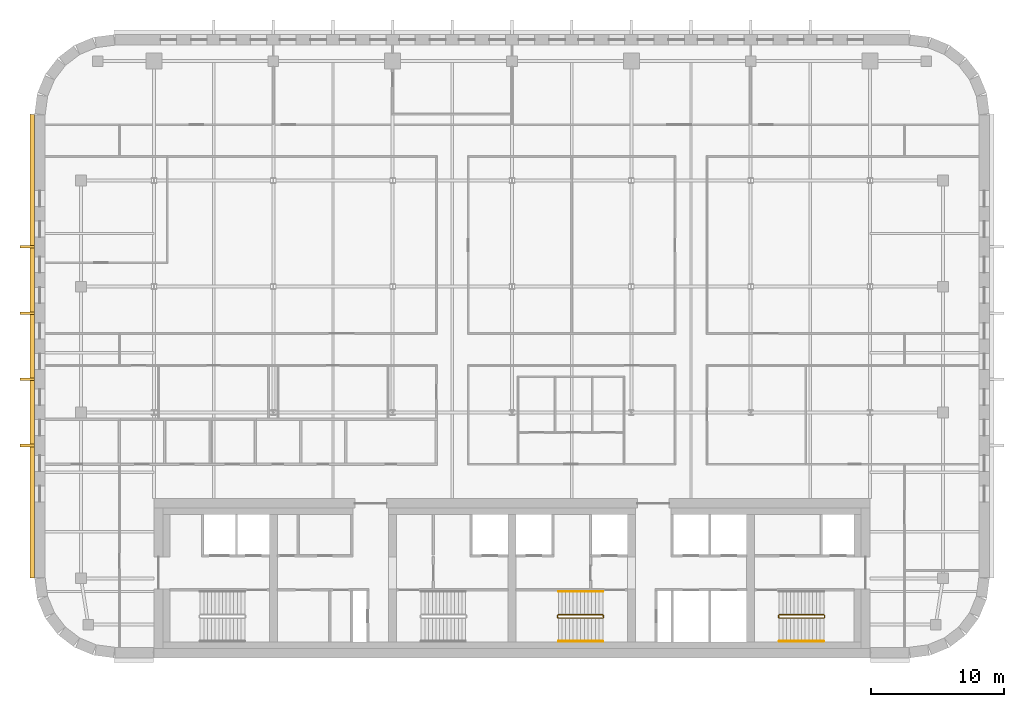
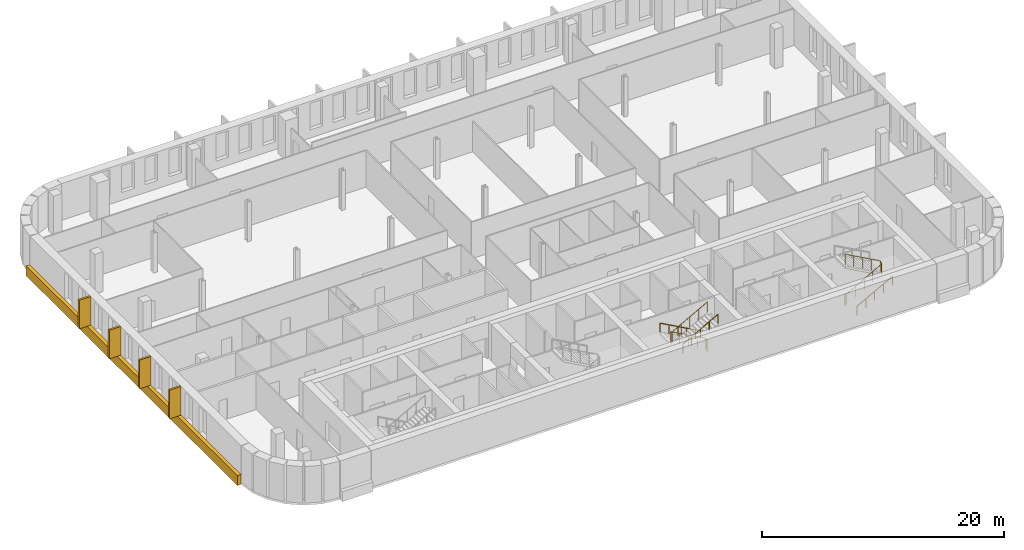
# One storey, part 13 of 15: 5 coverings, 5 railings.
"""IFC4 building model written with IfcOpenShell, lengths in metres."""

import ifcopenshell
import ifcopenshell.guid

model = None  # the IFC model being written
_history = None  # IfcOwnerHistory: only IFC2X3 demands one
_inside = {}  # id of a spatial element -> (the spatial element, [elements in it])
_under = {}  # id of a project, library or spatial element -> (it, [spatial elements below it])
_declared = {}  # id of a project -> (the project, [libraries it declares])
_typed = {}  # id of a type object -> (the type object, [elements of that type])
_made_of = {}  # id of a material, layer set ... -> (it, [elements and type objects made of it])


def new_model(schema):
    """Start an empty IFC model of exactly this schema.

    Asked for "IFC4X3", IfcOpenShell would pick the latest addendum, in which some entities
    have other attributes; the version numbers below select the first issue.
    IFC2X3 requires an IfcOwnerHistory on every rooted entity: one is made here for all.
    """
    global model, _history
    if schema == "IFC4X3":
        model = ifcopenshell.file(schema_version=(4, 3, 0, 0))
    else:
        model = ifcopenshell.file(schema=schema)
    _inside.clear()
    _under.clear()
    _declared.clear()
    _typed.clear()
    _made_of.clear()
    _history = None
    if model.schema == "IFC2X3":
        org = make("IfcOrganization", Name="unknown")
        user = make(
            "IfcPersonAndOrganization",
            ThePerson=make("IfcPerson", FamilyName="unknown"),
            TheOrganization=org,
        )
        app = make(
            "IfcApplication",
            ApplicationDeveloper=org,
            Version="unknown",
            ApplicationFullName="unknown",
            ApplicationIdentifier="unknown",
        )
        _history = make(
            "IfcOwnerHistory",
            OwningUser=user,
            OwningApplication=app,
            ChangeAction="ADDED",
            CreationDate=0,
        )
    return model


def make(cls, **values):
    """One entity of the class cls with the attributes given. An attribute that is None is left unset."""
    return model.create_entity(
        cls, **{name: value for name, value in values.items() if value is not None}
    )


def rooted(cls, **values):
    """An entity with a GlobalId (a new one), such as an element, a storey or a relation."""
    return make(cls, GlobalId=ifcopenshell.guid.new(), OwnerHistory=_history, **values)


def si_unit(unit_type, name, prefix=None):
    """IfcSIUnit, for example si_unit("LENGTHUNIT", "METRE", prefix="MILLI")."""
    return make("IfcSIUnit", UnitType=unit_type, Prefix=prefix, Name=name)


def assignment(units):
    """IfcUnitAssignment: the units of a project."""
    return None if units is None else make("IfcUnitAssignment", Units=units)


def point(xyz):
    """IfcCartesianPoint."""
    return None if xyz is None else make("IfcCartesianPoint", Coordinates=xyz)


def direction(xyz):
    """IfcDirection."""
    return None if xyz is None else make("IfcDirection", DirectionRatios=xyz)


def frame(location, z_axis=None, x_axis=None):
    """IfcAxis2Placement3D, a coordinate frame: its origin and axes. An axis left out is left unset."""
    return make(
        "IfcAxis2Placement3D",
        Location=point(location),
        Axis=direction(z_axis),
        RefDirection=direction(x_axis),
    )


def frame_2d(location, x_axis=None):
    """IfcAxis2Placement2D, a coordinate frame in the plane: its origin and x axis."""
    return make(
        "IfcAxis2Placement2D", Location=point(location), RefDirection=direction(x_axis)
    )


def origin():
    """The frame at (0, 0, 0) with its axes left unset."""
    return frame((0.0, 0.0, 0.0))


def origin_2d():
    """The frame at (0, 0) in the plane with its x axis left unset."""
    return frame_2d((0.0, 0.0))


def place(relative_to, where):
    """IfcLocalPlacement: puts the frame where relative to a parent placement (None: the world)."""
    return make(
        "IfcLocalPlacement", PlacementRelTo=relative_to, RelativePlacement=where
    )


def context(
    kind, dimensions, precision=None, world=None, true_north=None, identifier=None
):
    """IfcGeometricRepresentationContext, for example the 3D "Model" context."""
    return make(
        "IfcGeometricRepresentationContext",
        ContextIdentifier=identifier,
        ContextType=kind,
        CoordinateSpaceDimension=dimensions,
        Precision=precision,
        WorldCoordinateSystem=world,
        TrueNorth=true_north,
    )


def subcontext(parent, identifier, kind, view, scale=None):
    """IfcGeometricRepresentationSubContext, for example "Body" below "Model"."""
    return make(
        "IfcGeometricRepresentationSubContext",
        ContextIdentifier=identifier,
        ContextType=kind,
        ParentContext=parent,
        TargetScale=scale,
        TargetView=view,
    )


def project(units=None, contexts=None):
    """IfcProject with its units and contexts."""
    return rooted(
        "IfcProject",
        Name="project",
        RepresentationContexts=contexts,
        UnitsInContext=assignment(units),
    )


def spatial(cls, under=None, at=None, **own):
    """A site, building, storey or space (cls), placed at a placement, below another one or the project."""
    s = rooted(cls, ObjectPlacement=at, **own)
    if under is not None:
        _under.setdefault(under.id(), (under, []))[1].append(s)
    return s


def polyline(points):
    """IfcPolyline through the points."""
    return make("IfcPolyline", Points=[point(p) for p in points])


def profile(cls, at=None, kind="AREA", **sizes):
    """A parametric profile (cls). Its sizes go by their IFC names, for example OverallWidth=200.0."""
    return make(cls, ProfileType=kind, Position=at, **sizes)


def circle(**sizes):
    """IfcCircleProfileDef."""
    return profile("IfcCircleProfileDef", **sizes)


def outline(outer, holes=None, kind="AREA"):
    """IfcArbitraryClosedProfileDef: a profile drawn as a closed curve; with holes, ...WithVoids."""
    if holes is None:
        return make("IfcArbitraryClosedProfileDef", ProfileType=kind, OuterCurve=outer)
    return make(
        "IfcArbitraryProfileDefWithVoids",
        ProfileType=kind,
        OuterCurve=outer,
        InnerCurves=holes,
    )


def extrude(swept, where, along, depth):
    """IfcExtrudedAreaSolid: the profile swept, set in the frame where, extruded along a direction by depth."""
    return make(
        "IfcExtrudedAreaSolid",
        SweptArea=swept,
        Position=where,
        ExtrudedDirection=direction(along),
        Depth=depth,
    )


def shape(context_of_items, identifier, shape_type, items):
    """IfcShapeRepresentation: the items that make up one representation, for example the "Body"."""
    return make(
        "IfcShapeRepresentation",
        ContextOfItems=context_of_items,
        RepresentationIdentifier=identifier,
        RepresentationType=shape_type,
        Items=items,
    )


def material(Name=None, Category=None):
    """IfcMaterial."""
    return make("IfcMaterial", Name=Name, Category=Category)


def layer(
    of_material, thickness, ventilated=None, Name=None, Category=None, Priority=None
):
    """IfcMaterialLayer: one layer of a wall or slab, of a material (None: an air gap)."""
    return make(
        "IfcMaterialLayer",
        Material=of_material,
        LayerThickness=thickness,
        IsVentilated=ventilated,
        Name=Name,
        Category=Category,
        Priority=Priority,
    )


def layer_set(layers, Name=None):
    """IfcMaterialLayerSet."""
    return make("IfcMaterialLayerSet", MaterialLayers=layers, LayerSetName=Name)


def made_of(thing, what):
    """Note that an element or type object is made of a material, layer set ...; save() writes the relation."""
    if what is not None:
        _made_of.setdefault(what.id(), (what, []))[1].append(thing)
    return thing


def type_object(cls, material=None, **own):
    """A type object (cls), such as IfcWallType, which elements share."""
    return made_of(rooted(cls, **own), material)


def element(
    cls,
    number,
    at=None,
    inside=None,
    cuts=None,
    type_object=None,
    material=None,
    context=None,
    identifier="Body",
    shape_type=None,
    held_by="IfcProductDefinitionShape",
    body=None,
    shapes=None,
    **own,
):
    """One element of the class cls, such as IfcWall. Its Tag is "e" and its number.

    at: its placement. inside: the storey or other place that contains it. cuts: it is an
    opening in that element (IfcRelVoidsElement). A single representation is given by context,
    identifier, shape_type and body (its items); several are given by shapes. held_by: the class
    of the entity that holds the representations. save() writes the other relations.
    """
    e = rooted(cls, Tag="e%d" % number, ObjectPlacement=at, **own)
    if body is not None:
        shapes = [shape(context, identifier, shape_type, body)]
    if shapes is not None:
        e.Representation = make(held_by, Representations=shapes)
    if inside is not None:
        _inside.setdefault(inside.id(), (inside, []))[1].append(e)
    if cuts is not None:
        rooted(
            "IfcRelVoidsElement", RelatingBuildingElement=cuts, RelatedOpeningElement=e
        )
    if type_object is not None:
        _typed.setdefault(type_object.id(), (type_object, []))[1].append(e)
    return made_of(e, material)


def aggregate(whole, parts):
    """IfcRelAggregates: a whole, such as a stair, and the parts it consists of."""
    return rooted("IfcRelAggregates", RelatingObject=whole, RelatedObjects=parts)


def save(model, path):
    """Write the relations noted so far, then the file.

    IfcRelAggregates (storeys below a building ...), IfcRelContainedInSpatialStructure (elements
    in a storey), IfcRelDefinesByType, IfcRelAssociatesMaterial and IfcRelDeclares: one each for
    every whole, place, type object, material and project.
    """
    for whole, parts in _under.values():
        aggregate(whole, parts)
    for where, things in _inside.values():
        rooted(
            "IfcRelContainedInSpatialStructure",
            RelatedElements=things,
            RelatingStructure=where,
        )
    for kind, things in _typed.values():
        rooted("IfcRelDefinesByType", RelatedObjects=things, RelatingType=kind)
    for what, things in _made_of.values():
        rooted("IfcRelAssociatesMaterial", RelatedObjects=things, RelatingMaterial=what)
    for by, libraries in _declared.values():
        rooted("IfcRelDeclares", RelatingContext=by, RelatedDefinitions=libraries)
    model.write(path)


model = new_model("IFC4")

# Units and contexts
model_context = context("Model", 3, precision=1e-05, world=origin(), true_north=direction((0.0, 1.0)))
body_context = subcontext(model_context, "Body", "Model", "MODEL_VIEW")
ifc_project = project(units=[si_unit("LENGTHUNIT", "METRE"), si_unit("AREAUNIT", "SQUARE_METRE"), si_unit("VOLUMEUNIT", "CUBIC_METRE"), si_unit("PLANEANGLEUNIT", "RADIAN"), si_unit("MASSUNIT", "GRAM", prefix="KILO")], contexts=[model_context])

# Site, building, storey
site_placement = place(None, origin())
site = spatial("IfcSite", under=ifc_project, at=site_placement, CompositionType="ELEMENT")
building_placement = place(site_placement, origin())
building = spatial("IfcBuilding", under=site, at=building_placement, Name="Zellij Exchange Tower", CompositionType="ELEMENT")
storey_placement = place(building_placement, frame((0.0, 0.0, 260.5)))
storey = spatial("IfcBuildingStorey", under=building, at=storey_placement, Name="L61", CompositionType="ELEMENT", Elevation=260.5)

# Railings
ifc_material_1 = material(Name="Stainless steel", Category="steel")
railing_type_1 = type_object("IfcRailingType", Name="CORE-RG stair guard", PredefinedType="GUARDRAIL", material=ifc_material_1)
railing_1_placement = place(storey_placement, frame((6.89990234375, -10.800048828125, 0.0)))
element("IfcRailing", 1, at=railing_1_placement, inside=storey, type_object=railing_type_1, Name="ST3 stair guard L61", PredefinedType="GUARDRAIL", context=body_context, shape_type="SweptSolid", body=[
    extrude(circle(Radius=0.02392578125, at=origin_2d()), frame((0.0, 0.0, 1.076171875), z_axis=(0.0, -1.0, 0.0), x_axis=(1.0, 0.0, 0.0)), (0.0, 0.0, 1.0), 0.14990234375),
    extrude(circle(Radius=0.02392578125, at=origin_2d()), frame((0.0, -0.14990234375, 1.076171875), z_axis=(-0.193691321961, 0.777613689637, 0.598164376644), x_axis=(-0.970351222016, -0.241699205484, 0.0)), (0.0, 0.0, 1.0), 0.257080078125),
    extrude(circle(Radius=0.02392578125, at=origin_2d()), frame((-0.0498046875, 0.050048828125, 1.22998046875), z_axis=(-0.876421534553, 0.0, 0.481544695509), x_axis=(0.0, -1.0, 0.0)), (0.0, 0.0, 1.0), 3.833984375),
    extrude(circle(Radius=0.02392578125, at=origin_2d()), frame((-3.409912109375, 0.050048828125, 3.076171875), z_axis=(-0.707106781187, -0.707106781187, 0.0), x_axis=(0.707106781187, -0.707106781187, 0.0)), (0.0, 0.0, 1.0), 0.07080078125),
    extrude(circle(Radius=0.02392578125, at=origin_2d()), frame((-3.4599609375, 0.0, 3.076171875), z_axis=(0.0, -1.0, 0.0), x_axis=(1.0, 0.0, 0.0)), (0.0, 0.0, 1.0), 0.14990234375),
    extrude(circle(Radius=0.02392578125, at=origin_2d()), frame((-3.4599609375, -0.14990234375, 3.076171875), z_axis=(0.295599637079, -0.295599637079, 0.908428152975), x_axis=(0.707106781187, 0.707106781187, 0.0)), (0.0, 0.0, 1.0), 0.16943359375),
    extrude(circle(Radius=0.02392578125, at=origin_2d()), frame((-3.409912109375, -0.199951171875, 3.22998046875), z_axis=(0.876421534553, 0.0, 0.481544695509), x_axis=(0.0, 1.0, 0.0)), (0.0, 0.0, 1.0), 3.833984375),
    extrude(circle(Radius=0.02099609375, at=origin_2d()), origin(), (0.0, 0.0, 1.0), 1.052001953125),
    extrude(circle(Radius=0.02099609375, at=origin_2d()), frame((0.0, -0.14990234375, 0.0)), (0.0, 0.0, 1.0), 1.052001953125),
    extrude(circle(Radius=0.02099609375, at=origin_2d()), frame((-0.0498046875, 0.050048828125, 0.15380859375)), (0.0, 0.0, 1.0), 1.052001953125),
    extrude(circle(Radius=0.02099609375, at=origin_2d()), frame((-0.889892578125, 0.050048828125, 0.615234375)), (0.0, 0.0, 1.0), 1.052001953125),
    extrude(circle(Radius=0.02099609375, at=origin_2d()), frame((-1.72998046875, 0.050048828125, 1.076904296875)), (0.0, 0.0, 1.0), 1.052001953125),
    extrude(circle(Radius=0.02099609375, at=origin_2d()), frame((-2.56982421875, 0.050048828125, 1.53857421875)), (0.0, 0.0, 1.0), 1.052001953125),
    extrude(circle(Radius=0.02099609375, at=origin_2d()), frame((-3.409912109375, 0.050048828125, 2.0)), (0.0, 0.0, 1.0), 1.052001953125),
    extrude(circle(Radius=0.02099609375, at=origin_2d()), frame((-3.4599609375, 0.0, 2.0)), (0.0, 0.0, 1.0), 1.052001953125),
    extrude(circle(Radius=0.02099609375, at=origin_2d()), frame((-3.4599609375, -0.14990234375, 2.0)), (0.0, 0.0, 1.0), 1.052001953125),
    extrude(circle(Radius=0.02099609375, at=origin_2d()), frame((-3.409912109375, -0.199951171875, 2.15380859375)), (0.0, 0.0, 1.0), 1.052001953125),
    extrude(circle(Radius=0.02099609375, at=origin_2d()), frame((-2.56982421875, -0.199951171875, 2.615234375)), (0.0, 0.0, 1.0), 1.052001953125),
    extrude(circle(Radius=0.02099609375, at=origin_2d()), frame((-1.72998046875, -0.199951171875, 3.076904296875)), (0.0, 0.0, 1.0), 1.052001953125),
    extrude(circle(Radius=0.02099609375, at=origin_2d()), frame((-0.889892578125, -0.199951171875, 3.53857421875)), (0.0, 0.0, 1.0), 1.052001953125),
    extrude(circle(Radius=0.02099609375, at=origin_2d()), frame((-0.0498046875, -0.199951171875, 4.0)), (0.0, 0.0, 1.0), 1.052001953125),
])
railing_2_placement = place(storey_placement, frame((20.10009765625, -10.949951171875, 0.0)))
element("IfcRailing", 2, at=railing_2_placement, inside=storey, type_object=railing_type_1, Name="ST4 stair guard L61", PredefinedType="GUARDRAIL", context=body_context, shape_type="SweptSolid", body=[
    extrude(circle(Radius=0.02392578125, at=origin_2d()), frame((0.0, 0.0, 1.076171875), z_axis=(0.0, 1.0, 0.0), x_axis=(-1.0, 0.0, 0.0)), (0.0, 0.0, 1.0), 0.14990234375),
    extrude(circle(Radius=0.02392578125, at=origin_2d()), frame((0.0, 0.14990234375, 1.076171875), z_axis=(0.193691321961, -0.777613689637, 0.598164376644), x_axis=(0.970351222016, 0.241699205484, 0.0)), (0.0, 0.0, 1.0), 0.257080078125),
    extrude(circle(Radius=0.02392578125, at=origin_2d()), frame((0.0498046875, -0.050048828125, 1.22998046875), z_axis=(0.876421534553, 0.0, 0.481544695509), x_axis=(0.0, 1.0, 0.0)), (0.0, 0.0, 1.0), 3.833984375),
    extrude(circle(Radius=0.02392578125, at=origin_2d()), frame((3.409912109375, -0.050048828125, 3.076171875), z_axis=(0.707106781187, 0.707106781187, 0.0), x_axis=(-0.707106781187, 0.707106781187, 0.0)), (0.0, 0.0, 1.0), 0.07080078125),
    extrude(circle(Radius=0.02392578125, at=origin_2d()), frame((3.4599609375, 0.0, 3.076171875), z_axis=(0.0, 1.0, 0.0), x_axis=(-1.0, 0.0, 0.0)), (0.0, 0.0, 1.0), 0.14990234375),
    extrude(circle(Radius=0.02392578125, at=origin_2d()), frame((3.4599609375, 0.14990234375, 3.076171875), z_axis=(-0.295599637079, 0.295599637079, 0.908428152975), x_axis=(-0.707106781187, -0.707106781187, 0.0)), (0.0, 0.0, 1.0), 0.16943359375),
    extrude(circle(Radius=0.02392578125, at=origin_2d()), frame((3.409912109375, 0.199951171875, 3.22998046875), z_axis=(-0.876421534553, 0.0, 0.481544695509), x_axis=(0.0, -1.0, 0.0)), (0.0, 0.0, 1.0), 3.833984375),
    extrude(circle(Radius=0.02099609375, at=origin_2d()), origin(), (0.0, 0.0, 1.0), 1.052001953125),
    extrude(circle(Radius=0.02099609375, at=origin_2d()), frame((0.0, 0.14990234375, 0.0)), (0.0, 0.0, 1.0), 1.052001953125),
    extrude(circle(Radius=0.02099609375, at=origin_2d()), frame((0.0498046875, -0.050048828125, 0.15380859375)), (0.0, 0.0, 1.0), 1.052001953125),
    extrude(circle(Radius=0.02099609375, at=origin_2d()), frame((0.889892578125, -0.050048828125, 0.615234375)), (0.0, 0.0, 1.0), 1.052001953125),
    extrude(circle(Radius=0.02099609375, at=origin_2d()), frame((1.72998046875, -0.050048828125, 1.076904296875)), (0.0, 0.0, 1.0), 1.052001953125),
    extrude(circle(Radius=0.02099609375, at=origin_2d()), frame((2.56982421875, -0.050048828125, 1.53857421875)), (0.0, 0.0, 1.0), 1.052001953125),
    extrude(circle(Radius=0.02099609375, at=origin_2d()), frame((3.409912109375, -0.050048828125, 2.0)), (0.0, 0.0, 1.0), 1.052001953125),
    extrude(circle(Radius=0.02099609375, at=origin_2d()), frame((3.4599609375, 0.0, 2.0)), (0.0, 0.0, 1.0), 1.052001953125),
    extrude(circle(Radius=0.02099609375, at=origin_2d()), frame((3.4599609375, 0.14990234375, 2.0)), (0.0, 0.0, 1.0), 1.052001953125),
    extrude(circle(Radius=0.02099609375, at=origin_2d()), frame((3.409912109375, 0.199951171875, 2.15380859375)), (0.0, 0.0, 1.0), 1.052001953125),
    extrude(circle(Radius=0.02099609375, at=origin_2d()), frame((2.56982421875, 0.199951171875, 2.615234375)), (0.0, 0.0, 1.0), 1.052001953125),
    extrude(circle(Radius=0.02099609375, at=origin_2d()), frame((1.72998046875, 0.199951171875, 3.076904296875)), (0.0, 0.0, 1.0), 1.052001953125),
    extrude(circle(Radius=0.02099609375, at=origin_2d()), frame((0.889892578125, 0.199951171875, 3.53857421875)), (0.0, 0.0, 1.0), 1.052001953125),
    extrude(circle(Radius=0.02099609375, at=origin_2d()), frame((0.0498046875, 0.199951171875, 4.0)), (0.0, 0.0, 1.0), 1.052001953125),
])
railing_type_2 = type_object("IfcRailingType", Name="CORE-RH stair handrail", PredefinedType="HANDRAIL", material=ifc_material_1)
railing_3_placement = place(storey_placement, frame((6.85009765625, -9.0, 0.15380859375)))
element("IfcRailing", 3, at=railing_3_placement, inside=storey, type_object=railing_type_2, Name="ST3 stair handrail L61", PredefinedType="HANDRAIL", context=body_context, shape_type="SweptSolid", body=[
    extrude(circle(Radius=0.02392578125, at=origin_2d()), frame((0.0, 0.0, 0.8759765625), z_axis=(-0.876421534553, 0.0, 0.481544695509), x_axis=(0.0, -1.0, 0.0)), (0.0, 0.0, 1.0), 3.833984375),
    extrude(circle(Radius=0.02099609375, at=origin_2d()), origin(), (0.0, 0.0, 1.0), 0.851806640625),
    extrude(circle(Radius=0.02099609375, at=origin_2d()), frame((-0.840087890625, 0.0, 0.46142578125)), (0.0, 0.0, 1.0), 0.851806640625),
    extrude(circle(Radius=0.02099609375, at=origin_2d()), frame((-1.68017578125, 0.0, 0.923095703125)), (0.0, 0.0, 1.0), 0.851806640625),
    extrude(circle(Radius=0.02099609375, at=origin_2d()), frame((-2.52001953125, 0.0, 1.384765625)), (0.0, 0.0, 1.0), 0.851806640625),
    extrude(circle(Radius=0.02099609375, at=origin_2d()), frame((-3.360107421875, 0.0, 1.84619140625)), (0.0, 0.0, 1.0), 0.851806640625),
])
for number, where, name in (
    (4, (3.489990234375, -12.75, 2.15380859375), "ST3 stair handrail L61"),
    (5, (20.14990234375, -12.75, 0.15380859375), "ST4 stair handrail L61"),
):
    element("IfcRailing", number, at=place(storey_placement, frame(where)), inside=storey, type_object=railing_type_2, Name=name, PredefinedType="HANDRAIL", context=body_context, shape_type="SweptSolid", body=[
        extrude(circle(Radius=0.02392578125, at=origin_2d()), frame((0.0, 0.0, 0.8759765625), z_axis=(0.876421534553, 0.0, 0.481544695509), x_axis=(0.0, 1.0, 0.0)), (0.0, 0.0, 1.0), 3.833984375),
        extrude(circle(Radius=0.02099609375, at=origin_2d()), origin(), (0.0, 0.0, 1.0), 0.851806640625),
        extrude(circle(Radius=0.02099609375, at=origin_2d()), frame((0.840087890625, 0.0, 0.46142578125)), (0.0, 0.0, 1.0), 0.851806640625),
        extrude(circle(Radius=0.02099609375, at=origin_2d()), frame((1.68017578125, 0.0, 0.923095703125)), (0.0, 0.0, 1.0), 0.851806640625),
        extrude(circle(Radius=0.02099609375, at=origin_2d()), frame((2.52001953125, 0.0, 1.384765625)), (0.0, 0.0, 1.0), 0.851806640625),
        extrude(circle(Radius=0.02099609375, at=origin_2d()), frame((3.360107421875, 0.0, 1.84619140625)), (0.0, 0.0, 1.0), 0.851806640625),
    ])

# Coverings
ifc_material_2 = material(Name="Limestone cladding", Category="masonry")
ifc_layer = layer(ifc_material_2, 0.35009765625)
ifc_layer_set = layer_set([ifc_layer], Name="Limestone cladding")
covering_type_1 = type_object("IfcCoveringType", Name="ENV-CV10 Stone spandrel band 350", PredefinedType="CLADDING", material=ifc_layer_set)
covering_1_placement = place(storey_placement, frame((0.0, 0.0, -0.199951171875)))
element("IfcCovering", 6, at=covering_1_placement, inside=storey, type_object=covering_type_1, Name="Stone spandrel band", PredefinedType="CLADDING", context=body_context, shape_type="SweptSolid", body=[
    extrude(outline(polyline([(-36.0, 26.973876953125), (-36.0, -7.973876953125), (-36.35009765625, -7.99658203125), (-36.35009765625, 26.99658203125), (-36.0, 26.973876953125)])), origin(), (0.0, 0.0, 1.0), 1.0),
])
covering_type_2 = type_object("IfcCoveringType", Name="ENV-CV6 Stone pier 200x1100", PredefinedType="CLADDING", material=ifc_material_2)
covering_2_placement = place(storey_placement, frame((0.0, 0.0, 0.800048828125)))
element("IfcCovering", 7, at=covering_2_placement, inside=storey, type_object=covering_type_2, Name="Stone pier", PredefinedType="CLADDING", context=body_context, shape_type="SweptSolid", body=[
    extrude(outline(polyline([(-36.0, 17.0888671875), (-36.0, 16.888916015625), (-37.10009765625, 16.888916015625), (-37.10009765625, 17.0888671875), (-36.0, 17.0888671875)])), origin(), (0.0, 0.0, 1.0), 2.89990234375),
])
covering_3_placement = place(storey_placement, frame((0.0, 0.0, 0.800048828125)))
element("IfcCovering", 8, at=covering_3_placement, inside=storey, type_object=covering_type_2, Name="Stone pier", PredefinedType="CLADDING", context=body_context, shape_type="SweptSolid", body=[
    extrude(outline(polyline([(-36.0, 12.09619140625), (-36.0, 11.896240234375), (-37.10009765625, 11.896240234375), (-37.10009765625, 12.09619140625), (-36.0, 12.09619140625)])), origin(), (0.0, 0.0, 1.0), 2.89990234375),
])
covering_4_placement = place(storey_placement, frame((0.0, 0.0, 0.800048828125)))
element("IfcCovering", 9, at=covering_4_placement, inside=storey, type_object=covering_type_2, Name="Stone pier", PredefinedType="CLADDING", context=body_context, shape_type="SweptSolid", body=[
    extrude(outline(polyline([(-36.0, 7.103759765625), (-36.0, 6.90380859375), (-37.10009765625, 6.90380859375), (-37.10009765625, 7.103759765625), (-36.0, 7.103759765625)])), origin(), (0.0, 0.0, 1.0), 2.89990234375),
])
covering_5_placement = place(storey_placement, frame((0.0, 0.0, 0.800048828125)))
element("IfcCovering", 10, at=covering_5_placement, inside=storey, type_object=covering_type_2, Name="Stone pier", PredefinedType="CLADDING", context=body_context, shape_type="SweptSolid", body=[
    extrude(outline(polyline([(-36.0, 2.111083984375), (-36.0, 1.9111328125), (-37.10009765625, 1.9111328125), (-37.10009765625, 2.111083984375), (-36.0, 2.111083984375)])), origin(), (0.0, 0.0, 1.0), 2.89990234375),
])

save(model, "model.ifc")
